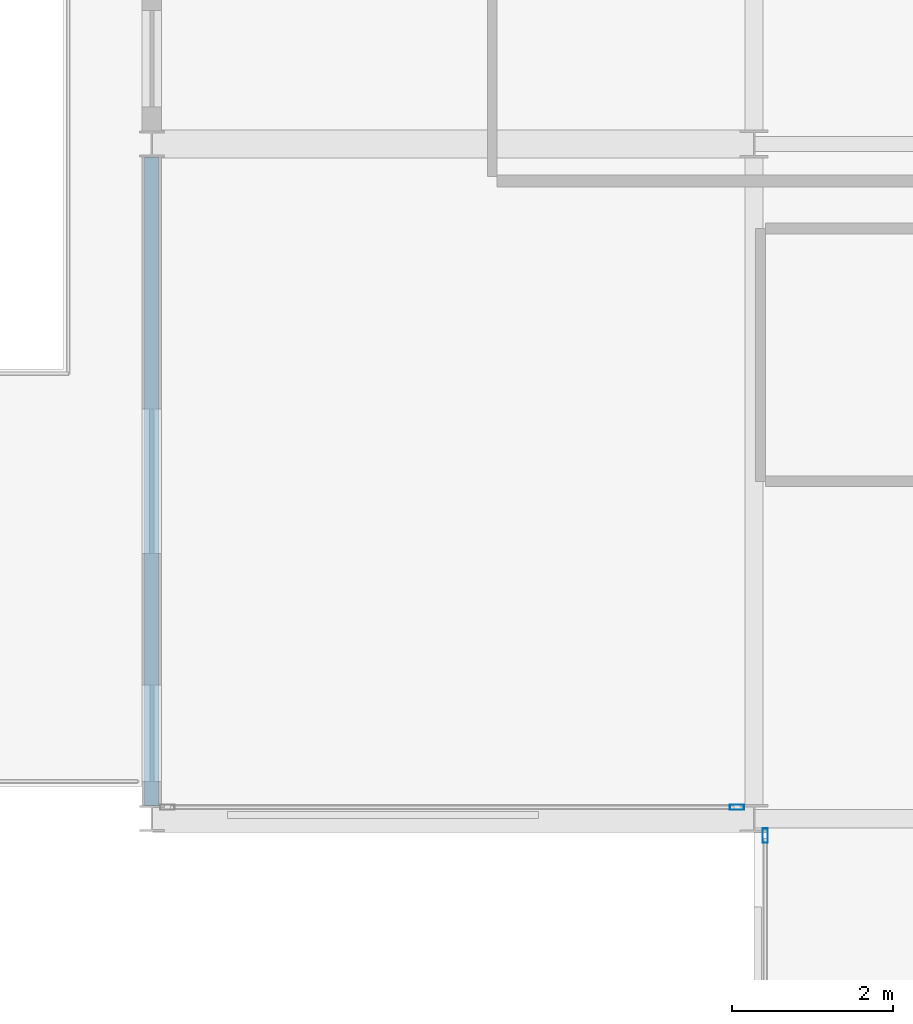
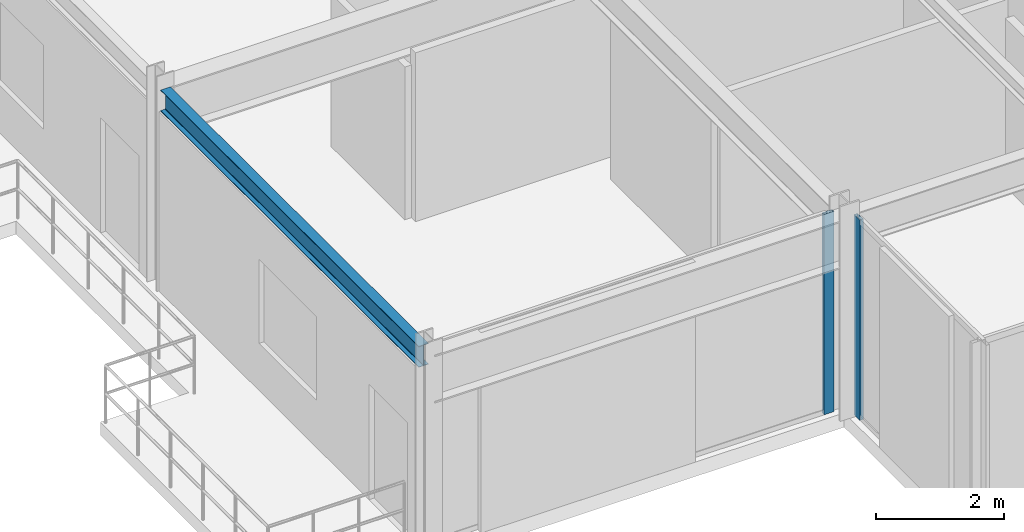
# One storey, part 4 of 29: 2 members, 1 beam, 2 elements without a shape of their own.
"""IFC4 building model written with IfcOpenShell, lengths in metres."""

from ifc_helpers import new_model, si_unit, direction, frame, origin, origin_2d, place, context, subcontext, project, spatial, hollow_rectangle, i_section, extrude, material, layer, layer_set, material_profile, profile_set, type_object, element, aggregate, save


model = new_model("IFC4")

# Units and contexts
model_context = context("Model", 3, precision=1e-05, world=origin(), true_north=direction((0.0, 1.0)))
body_context = subcontext(model_context, "Body", "Model", "MODEL_VIEW")
ifc_project = project(units=[si_unit("LENGTHUNIT", "METRE"), si_unit("AREAUNIT", "SQUARE_METRE"), si_unit("VOLUMEUNIT", "CUBIC_METRE"), si_unit("PLANEANGLEUNIT", "RADIAN"), si_unit("MASSUNIT", "GRAM", prefix="KILO")], contexts=[model_context])

# Site, building, storey
site_placement = place(None, origin())
site = spatial("IfcSite", under=ifc_project, at=site_placement, CompositionType="ELEMENT")
building_placement = place(site_placement, origin())
building = spatial("IfcBuilding", under=site, at=building_placement, Name="Nerrivon Quay Data Exchange", CompositionType="ELEMENT")
storey_placement = place(building_placement, frame((0.0, 0.0, 175.5)))
storey = spatial("IfcBuildingStorey", under=building, at=storey_placement, Name="L41", CompositionType="ELEMENT", Elevation=175.5)

# Beam
ifc_material_1 = material(Name="Steel Grade 350", Category="steel")
ifc_material_profile_1 = material_profile(ifc_material_1, i_section(OverallWidth=0.177978515625, OverallDepth=0.403076171875, WebThickness=0.007568359375, FlangeThickness=0.010986328125, FilletRadius=0.011474609375, at=origin_2d()), Name="410UB53.7")
ifc_profile_set_1 = profile_set([ifc_material_profile_1], Name="Steel Grade 350")
beam_type = type_object("IfcBeamType", Name="BM-SP2-410UB54", PredefinedType="SPANDREL", material=ifc_profile_set_1)
beam_placement = place(storey_placement, frame((-7.5, 8.5634765625, 3.62353515625), z_axis=(0.0, 1.0, 0.0), x_axis=(-1.0, 0.0, 0.0)))
element("IfcBeam", 1, at=beam_placement, inside=storey, type_object=beam_type, Name="L41 West Hooked Edge Spandrel", PredefinedType="SPANDREL", context=body_context, shape_type="SweptSolid", body=[
    extrude(i_section(OverallWidth=0.177978515625, OverallDepth=0.403076171875, WebThickness=0.007568359375, FlangeThickness=0.010986328125, FilletRadius=0.011474609375, at=origin_2d()), origin(), (0.0, 0.0, 1.0), 8.072998046875),
])

# Curtain wall, member
ifc_material_2 = material(Name="Anodised aluminium 6063-T6", Category="aluminium")
ifc_layer_1 = layer(ifc_material_2, 0.195068359375)
ifc_layer_set_1 = layer_set([ifc_layer_1], Name="Anodised aluminium 6063-T6")
curtain_wall_type_1 = type_object("IfcCurtainWallType", Name="CW-SYS-06", PredefinedType="NOTDEFINED", material=ifc_layer_set_1)
curtain_wall_1_placement = place(storey_placement, origin())
curtain_wall_1 = element("IfcCurtainWall", 2, at=curtain_wall_1_placement, inside=storey, type_object=curtain_wall_type_1, Name="L41 Unitised Curtain Wall 31", PredefinedType="NOTDEFINED")
ifc_material_profile_2 = material_profile(ifc_material_2, hollow_rectangle(XDim=0.06494140625, YDim=0.179931640625, WallThickness=0.00341796875, at=origin_2d()), Name="ALU-MULL-180x65")
ifc_profile_set_2 = profile_set([ifc_material_profile_2], Name="Anodised aluminium 6063-T6")
member_type = type_object("IfcMemberType", Name="CWM-180x65", PredefinedType="MULLION", material=ifc_profile_set_2)
member_1_placement = place(storey_placement, frame((0.139892578125, 8.1875, 0.0), z_axis=(0.0, 0.0, 1.0), x_axis=(-1.0, 0.0, 0.0)))
member_1 = element("IfcMember", 3, at=member_1_placement, type_object=member_type, Name="CW06 mullion 2", PredefinedType="MULLION", context=body_context, shape_type="SweptSolid", body=[
    extrude(hollow_rectangle(XDim=0.06494140625, YDim=0.179931640625, WallThickness=0.00341796875, at=origin_2d()), origin(), (0.0, 0.0, 1.0), 3.824951171875),
])
aggregate(curtain_wall_1, [member_1])

ifc_layer_2 = layer(ifc_material_2, 0.199951171875)
ifc_layer_set_2 = layer_set([ifc_layer_2], Name="Anodised aluminium 6063-T6")
curtain_wall_type_2 = type_object("IfcCurtainWallType", Name="CW-SYS-04", PredefinedType="NOTDEFINED", material=ifc_layer_set_2)
curtain_wall_2_placement = place(storey_placement, origin())
curtain_wall_2 = element("IfcCurtainWall", 4, at=curtain_wall_2_placement, inside=storey, type_object=curtain_wall_type_2, Name="L41 Unitised Curtain Wall 32", PredefinedType="NOTDEFINED")
member_2_placement = place(storey_placement, frame((-0.21240234375, 8.5400390625, 0.0), z_axis=(0.0, 0.0, 1.0), x_axis=(0.0, -1.0, 0.0)))
member_2 = element("IfcMember", 5, at=member_2_placement, type_object=member_type, Name="CW04 mullion 1", PredefinedType="MULLION", context=body_context, shape_type="SweptSolid", body=[
    extrude(hollow_rectangle(XDim=0.06494140625, YDim=0.179931640625, WallThickness=0.00341796875, at=origin_2d()), origin(), (0.0, 0.0, 1.0), 3.824951171875),
])
aggregate(curtain_wall_2, [member_2])

save(model, "model.ifc")
